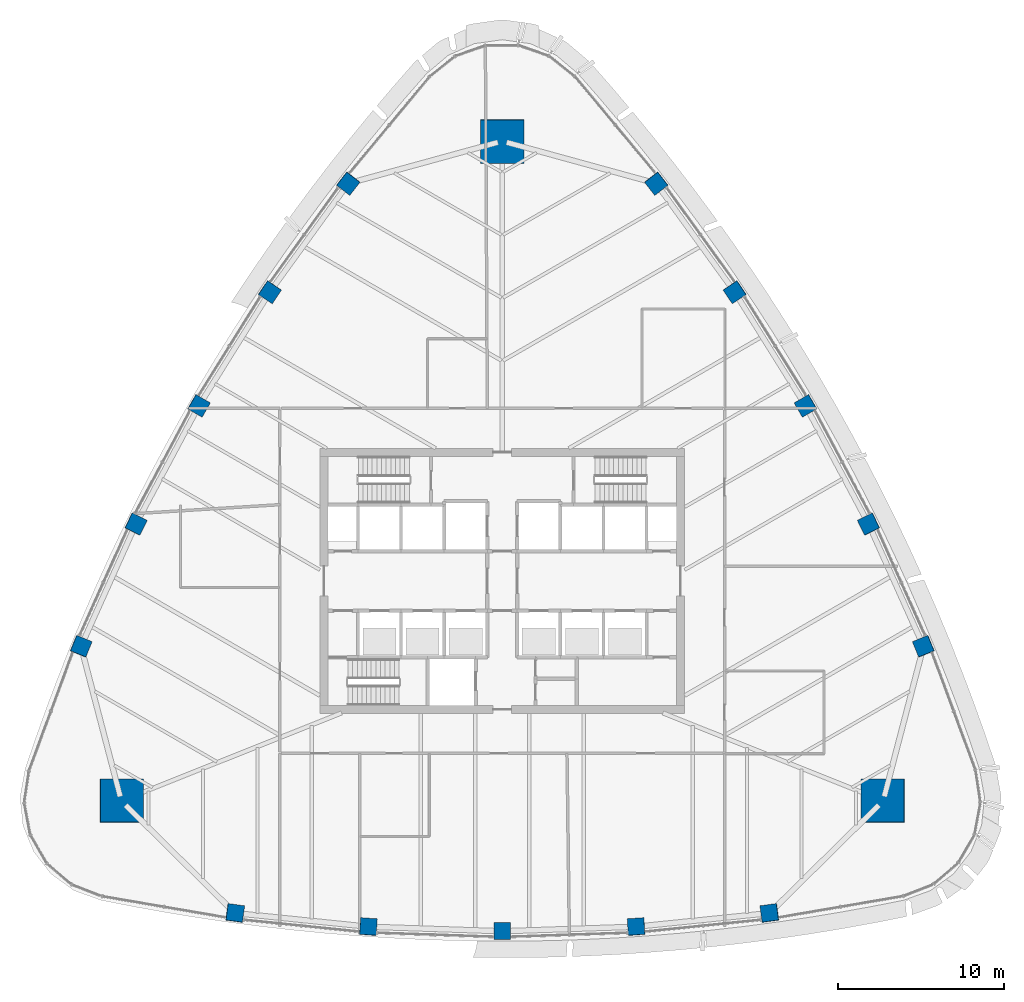
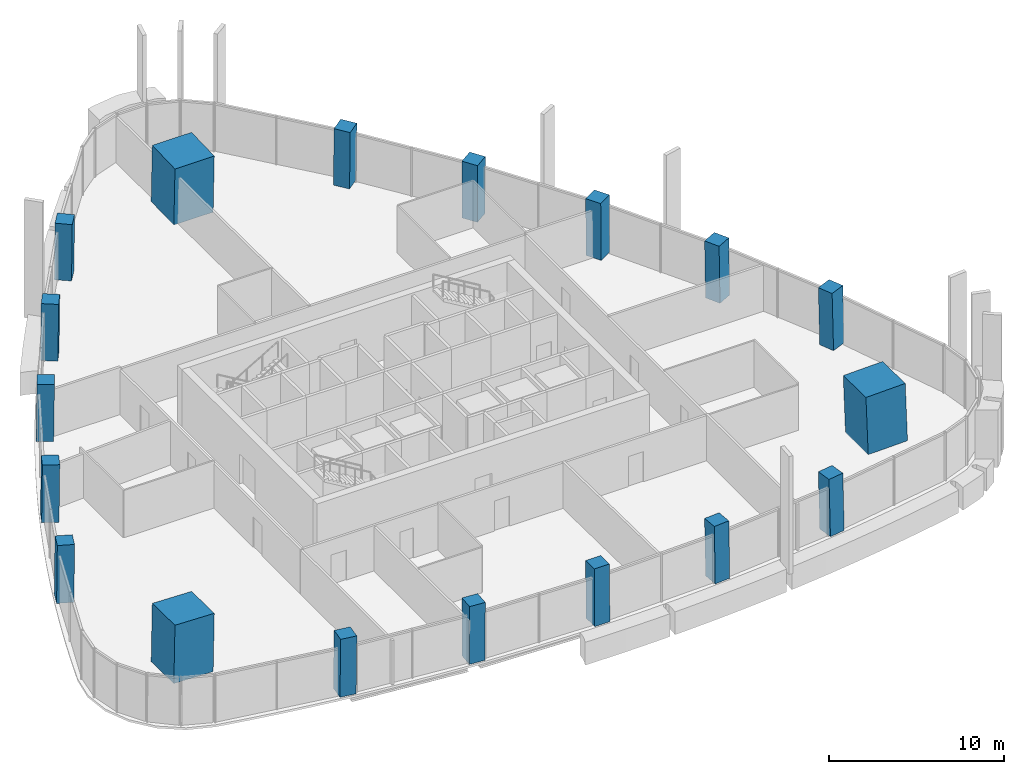
# One storey, part 1 of 17: 18 columns.
"""IFC4 building model written with IfcOpenShell, lengths in metres."""

import ifcopenshell
import ifcopenshell.guid

model = None  # the IFC model being written
_history = None  # IfcOwnerHistory: only IFC2X3 demands one
_inside = {}  # id of a spatial element -> (the spatial element, [elements in it])
_under = {}  # id of a project, library or spatial element -> (it, [spatial elements below it])
_declared = {}  # id of a project -> (the project, [libraries it declares])
_typed = {}  # id of a type object -> (the type object, [elements of that type])
_made_of = {}  # id of a material, layer set ... -> (it, [elements and type objects made of it])


def new_model(schema):
    """Start an empty IFC model of exactly this schema.

    Asked for "IFC4X3", IfcOpenShell would pick the latest addendum, in which some entities
    have other attributes; the version numbers below select the first issue.
    IFC2X3 requires an IfcOwnerHistory on every rooted entity: one is made here for all.
    """
    global model, _history
    if schema == "IFC4X3":
        model = ifcopenshell.file(schema_version=(4, 3, 0, 0))
    else:
        model = ifcopenshell.file(schema=schema)
    _inside.clear()
    _under.clear()
    _declared.clear()
    _typed.clear()
    _made_of.clear()
    _history = None
    if model.schema == "IFC2X3":
        org = make("IfcOrganization", Name="unknown")
        user = make(
            "IfcPersonAndOrganization",
            ThePerson=make("IfcPerson", FamilyName="unknown"),
            TheOrganization=org,
        )
        app = make(
            "IfcApplication",
            ApplicationDeveloper=org,
            Version="unknown",
            ApplicationFullName="unknown",
            ApplicationIdentifier="unknown",
        )
        _history = make(
            "IfcOwnerHistory",
            OwningUser=user,
            OwningApplication=app,
            ChangeAction="ADDED",
            CreationDate=0,
        )
    return model


def make(cls, **values):
    """One entity of the class cls with the attributes given. An attribute that is None is left unset."""
    return model.create_entity(
        cls, **{name: value for name, value in values.items() if value is not None}
    )


def rooted(cls, **values):
    """An entity with a GlobalId (a new one), such as an element, a storey or a relation."""
    return make(cls, GlobalId=ifcopenshell.guid.new(), OwnerHistory=_history, **values)


def si_unit(unit_type, name, prefix=None):
    """IfcSIUnit, for example si_unit("LENGTHUNIT", "METRE", prefix="MILLI")."""
    return make("IfcSIUnit", UnitType=unit_type, Prefix=prefix, Name=name)


def assignment(units):
    """IfcUnitAssignment: the units of a project."""
    return None if units is None else make("IfcUnitAssignment", Units=units)


def point(xyz):
    """IfcCartesianPoint."""
    return None if xyz is None else make("IfcCartesianPoint", Coordinates=xyz)


def direction(xyz):
    """IfcDirection."""
    return None if xyz is None else make("IfcDirection", DirectionRatios=xyz)


def frame(location, z_axis=None, x_axis=None):
    """IfcAxis2Placement3D, a coordinate frame: its origin and axes. An axis left out is left unset."""
    return make(
        "IfcAxis2Placement3D",
        Location=point(location),
        Axis=direction(z_axis),
        RefDirection=direction(x_axis),
    )


def frame_2d(location, x_axis=None):
    """IfcAxis2Placement2D, a coordinate frame in the plane: its origin and x axis."""
    return make(
        "IfcAxis2Placement2D", Location=point(location), RefDirection=direction(x_axis)
    )


def origin():
    """The frame at (0, 0, 0) with its axes left unset."""
    return frame((0.0, 0.0, 0.0))


def origin_2d():
    """The frame at (0, 0) in the plane with its x axis left unset."""
    return frame_2d((0.0, 0.0))


def place(relative_to, where):
    """IfcLocalPlacement: puts the frame where relative to a parent placement (None: the world)."""
    return make(
        "IfcLocalPlacement", PlacementRelTo=relative_to, RelativePlacement=where
    )


def context(
    kind, dimensions, precision=None, world=None, true_north=None, identifier=None
):
    """IfcGeometricRepresentationContext, for example the 3D "Model" context."""
    return make(
        "IfcGeometricRepresentationContext",
        ContextIdentifier=identifier,
        ContextType=kind,
        CoordinateSpaceDimension=dimensions,
        Precision=precision,
        WorldCoordinateSystem=world,
        TrueNorth=true_north,
    )


def subcontext(parent, identifier, kind, view, scale=None):
    """IfcGeometricRepresentationSubContext, for example "Body" below "Model"."""
    return make(
        "IfcGeometricRepresentationSubContext",
        ContextIdentifier=identifier,
        ContextType=kind,
        ParentContext=parent,
        TargetScale=scale,
        TargetView=view,
    )


def project(units=None, contexts=None):
    """IfcProject with its units and contexts."""
    return rooted(
        "IfcProject",
        Name="project",
        RepresentationContexts=contexts,
        UnitsInContext=assignment(units),
    )


def spatial(cls, under=None, at=None, **own):
    """A site, building, storey or space (cls), placed at a placement, below another one or the project."""
    s = rooted(cls, ObjectPlacement=at, **own)
    if under is not None:
        _under.setdefault(under.id(), (under, []))[1].append(s)
    return s


def profile(cls, at=None, kind="AREA", **sizes):
    """A parametric profile (cls). Its sizes go by their IFC names, for example OverallWidth=200.0."""
    return make(cls, ProfileType=kind, Position=at, **sizes)


def rectangle(**sizes):
    """IfcRectangleProfileDef."""
    return profile("IfcRectangleProfileDef", **sizes)


def extrude(swept, where, along, depth):
    """IfcExtrudedAreaSolid: the profile swept, set in the frame where, extruded along a direction by depth."""
    return make(
        "IfcExtrudedAreaSolid",
        SweptArea=swept,
        Position=where,
        ExtrudedDirection=direction(along),
        Depth=depth,
    )


def shape(context_of_items, identifier, shape_type, items):
    """IfcShapeRepresentation: the items that make up one representation, for example the "Body"."""
    return make(
        "IfcShapeRepresentation",
        ContextOfItems=context_of_items,
        RepresentationIdentifier=identifier,
        RepresentationType=shape_type,
        Items=items,
    )


def material(Name=None, Category=None):
    """IfcMaterial."""
    return make("IfcMaterial", Name=Name, Category=Category)


def material_profile(
    of_material, cross_section, Name=None, Category=None, Priority=None
):
    """IfcMaterialProfile: a cross section and its material."""
    return make(
        "IfcMaterialProfile",
        Name=Name,
        Material=of_material,
        Profile=cross_section,
        Priority=Priority,
        Category=Category,
    )


def profile_set(profiles, Name=None, composite=None):
    """IfcMaterialProfileSet."""
    return make(
        "IfcMaterialProfileSet",
        Name=Name,
        MaterialProfiles=profiles,
        CompositeProfile=composite,
    )


def made_of(thing, what):
    """Note that an element or type object is made of a material, layer set ...; save() writes the relation."""
    if what is not None:
        _made_of.setdefault(what.id(), (what, []))[1].append(thing)
    return thing


def type_object(cls, material=None, **own):
    """A type object (cls), such as IfcWallType, which elements share."""
    return made_of(rooted(cls, **own), material)


def element(
    cls,
    number,
    at=None,
    inside=None,
    cuts=None,
    type_object=None,
    material=None,
    context=None,
    identifier="Body",
    shape_type=None,
    held_by="IfcProductDefinitionShape",
    body=None,
    shapes=None,
    **own,
):
    """One element of the class cls, such as IfcWall. Its Tag is "e" and its number.

    at: its placement. inside: the storey or other place that contains it. cuts: it is an
    opening in that element (IfcRelVoidsElement). A single representation is given by context,
    identifier, shape_type and body (its items); several are given by shapes. held_by: the class
    of the entity that holds the representations. save() writes the other relations.
    """
    e = rooted(cls, Tag="e%d" % number, ObjectPlacement=at, **own)
    if body is not None:
        shapes = [shape(context, identifier, shape_type, body)]
    if shapes is not None:
        e.Representation = make(held_by, Representations=shapes)
    if inside is not None:
        _inside.setdefault(inside.id(), (inside, []))[1].append(e)
    if cuts is not None:
        rooted(
            "IfcRelVoidsElement", RelatingBuildingElement=cuts, RelatedOpeningElement=e
        )
    if type_object is not None:
        _typed.setdefault(type_object.id(), (type_object, []))[1].append(e)
    return made_of(e, material)


def aggregate(whole, parts):
    """IfcRelAggregates: a whole, such as a stair, and the parts it consists of."""
    return rooted("IfcRelAggregates", RelatingObject=whole, RelatedObjects=parts)


def save(model, path):
    """Write the relations noted so far, then the file.

    IfcRelAggregates (storeys below a building ...), IfcRelContainedInSpatialStructure (elements
    in a storey), IfcRelDefinesByType, IfcRelAssociatesMaterial and IfcRelDeclares: one each for
    every whole, place, type object, material and project.
    """
    for whole, parts in _under.values():
        aggregate(whole, parts)
    for where, things in _inside.values():
        rooted(
            "IfcRelContainedInSpatialStructure",
            RelatedElements=things,
            RelatingStructure=where,
        )
    for kind, things in _typed.values():
        rooted("IfcRelDefinesByType", RelatedObjects=things, RelatingType=kind)
    for what, things in _made_of.values():
        rooted("IfcRelAssociatesMaterial", RelatedObjects=things, RelatingMaterial=what)
    for by, libraries in _declared.values():
        rooted("IfcRelDeclares", RelatingContext=by, RelatedDefinitions=libraries)
    model.write(path)


model = new_model("IFC4")

# Units and contexts
model_context = context("Model", 3, precision=1e-05, world=origin(), true_north=direction((0.0, 1.0)))
body_context = subcontext(model_context, "Body", "Model", "MODEL_VIEW")
ifc_project = project(units=[si_unit("LENGTHUNIT", "METRE"), si_unit("AREAUNIT", "SQUARE_METRE"), si_unit("VOLUMEUNIT", "CUBIC_METRE"), si_unit("PLANEANGLEUNIT", "RADIAN"), si_unit("MASSUNIT", "GRAM", prefix="KILO")], contexts=[model_context])

# Site, building, storey
site_placement = place(None, origin())
site = spatial("IfcSite", under=ifc_project, at=site_placement, CompositionType="ELEMENT")
building_placement = place(site_placement, origin())
building = spatial("IfcBuilding", under=site, at=building_placement, Name="Sierra Prisma Convention Tower", CompositionType="ELEMENT")
storey_placement = place(building_placement, frame((0.0, 0.0, 201.800048828125)))
storey = spatial("IfcBuildingStorey", under=building, at=storey_placement, Name="L45", CompositionType="ELEMENT", Elevation=201.800048828125)

# Columns
ifc_material_1 = material(Name="Concrete C60/75", Category="concrete")
ifc_material_profile_1 = material_profile(ifc_material_1, rectangle(XDim=2.60009765625, YDim=2.60009765625, at=origin_2d()), Name="Mega column RC 2600 C60/75")
ifc_profile_set_1 = profile_set([ifc_material_profile_1], Name="Concrete C60/75")
column_type_1 = type_object("IfcColumnType", Name="Mega column RC 2600 C60/75", PredefinedType="COLUMN", material=ifc_profile_set_1)
for number, where, z_axis, x_axis, name in (
    (1, (22.962890625, -13.2578125, 0.0), (-0.027878578444, 0.01616591529, 0.99948058913), (0.999611316895, 0.000450857978, 0.027874932523), "Mega column SE L45"),
    (2, (0.0, 26.515380859375, 0.0), (0.0, -0.032270781071, 0.999479162709), (1.0, 0.0, 0.0), "Mega column N L45"),
    (3, (-22.962890625, -13.2578125, 0.0), (0.027878578444, 0.01616591529, 0.99948058913), (0.999611316895, -0.000450857978, -0.027874932523), "Mega column SW L45"),
):
    element("IfcColumn", number, at=place(storey_placement, frame(where, z_axis=z_axis, x_axis=x_axis)), inside=storey, type_object=column_type_1, Name=name, PredefinedType="COLUMN", context=body_context, shape_type="SweptSolid", body=[
        extrude(rectangle(XDim=2.60009765625, YDim=2.60009765625, at=origin_2d()), origin(), (0.0, 0.0, 1.0), 4.002197265625),
    ])
ifc_material_2 = material(Name="Concrete C60/75", Category="concrete")
ifc_material_profile_2 = material_profile(ifc_material_2, rectangle(XDim=1.0, YDim=1.0, at=origin_2d()), Name="Perimeter column RC 1000 C60/75")
ifc_profile_set_2 = profile_set([ifc_material_profile_2], Name="Concrete C60/75")
column_type_2 = type_object("IfcColumnType", Name="Perimeter column RC 1000 C60/75", PredefinedType="COLUMN", material=ifc_profile_set_2)
column_1_placement = place(storey_placement, frame((-16.113525390625, -20.022216796875, 0.0), z_axis=(0.017574453011, 0.010434831475, 0.999791104628), x_axis=(-0.990654176494, 0.135455896045, 0.016000088172)))
element("IfcColumn", 4, at=column_1_placement, inside=storey, type_object=column_type_2, Name="Perimeter column S-1 L45", PredefinedType="COLUMN", context=body_context, shape_type="SweptSolid", body=[
    extrude(rectangle(XDim=1.0, YDim=1.0, at=origin_2d()), origin(), (0.0, 0.0, 1.0), 4.000732421875),
])
column_2_placement = place(storey_placement, frame((-8.075439453125, -20.843017578125, 0.0), z_axis=(0.008788174922, 0.01116830563, 0.999899013366), x_axis=(-0.997660565826, 0.067891326384, 0.008010193405)))
element("IfcColumn", 5, at=column_2_placement, inside=storey, type_object=column_type_2, Name="Perimeter column S-2 L45", PredefinedType="COLUMN", context=body_context, shape_type="SweptSolid", body=[
    extrude(rectangle(XDim=1.0, YDim=1.0, at=origin_2d()), origin(), (0.0, 0.0, 1.0), 4.00048828125),
])
column_3_placement = place(storey_placement, frame((0.0, -21.1171875, 0.0), z_axis=(0.0, 0.011473854038, 0.99993417317), x_axis=(1.0, 0.0, 0.0)))
element("IfcColumn", 6, at=column_3_placement, inside=storey, type_object=column_type_2, Name="Perimeter column S-3 L45", PredefinedType="COLUMN", context=body_context, shape_type="SweptSolid", body=[
    extrude(rectangle(XDim=1.0, YDim=1.0, at=origin_2d()), origin(), (0.0, 0.0, 1.0), 4.000244140625),
])
column_4_placement = place(storey_placement, frame((8.075439453125, -20.843017578125, 0.0), z_axis=(-0.008788174922, 0.01116830563, 0.999899013366), x_axis=(0.997660565826, 0.067891326384, 0.008010193405)))
element("IfcColumn", 7, at=column_4_placement, inside=storey, type_object=column_type_2, Name="Perimeter column S-4 L45", PredefinedType="COLUMN", context=body_context, shape_type="SweptSolid", body=[
    extrude(rectangle(XDim=1.0, YDim=1.0, at=origin_2d()), origin(), (0.0, 0.0, 1.0), 4.00048828125),
])
for number, where, z_axis, x_axis, name in (
    (8, (16.113525390625, -20.022216796875, 0.0), (-0.017574453011, 0.010434831475, 0.999791104628), (0.990654176494, 0.135455896045, 0.016000088172), "Perimeter column S-5 L45"),
    (9, (25.396484375, -3.943603515625, 0.0), (-0.017818554314, 0.009946658744, 0.999791759869), (-0.378186302211, 0.925592114744, -0.015948603207), "Perimeter column NE-1 L45"),
):
    element("IfcColumn", number, at=place(storey_placement, frame(where, z_axis=z_axis, x_axis=x_axis)), inside=storey, type_object=column_type_2, Name=name, PredefinedType="COLUMN", context=body_context, shape_type="SweptSolid", body=[
        extrude(rectangle(XDim=1.0, YDim=1.0, at=origin_2d()), origin(), (0.0, 0.0, 1.0), 4.000732421875),
    ])
column_5_placement = place(storey_placement, frame((22.08837890625, 3.427978515625, 0.0), z_axis=(-0.014097689605, 0.002074984617, 0.999898469639), x_axis=(-0.440091339145, 0.89791676479, -0.008068253744)))
element("IfcColumn", 10, at=column_5_placement, inside=storey, type_object=column_type_2, Name="Perimeter column NE-2 L45", PredefinedType="COLUMN", context=body_context, shape_type="SweptSolid", body=[
    extrude(rectangle(XDim=1.0, YDim=1.0, at=origin_2d()), origin(), (0.0, 0.0, 1.0), 4.00048828125),
])
column_6_placement = place(storey_placement, frame((18.2880859375, 10.55859375, 0.0), z_axis=(-0.009948074445, -0.005736926367, 0.999934059571), x_axis=(-0.499975258342, 0.8660396879, -5.385525e-06)))
element("IfcColumn", 11, at=column_6_placement, inside=storey, type_object=column_type_2, Name="Perimeter column NE-3 L45", PredefinedType="COLUMN", context=body_context, shape_type="SweptSolid", body=[
    extrude(rectangle(XDim=1.0, YDim=1.0, at=origin_2d()), origin(), (0.0, 0.0, 1.0), 4.000244140625),
])
column_7_placement = place(storey_placement, frame((14.012939453125, 17.4150390625, 0.0), z_axis=(-0.005309522349, -0.013182262383, 0.999899013366), x_axis=(-0.557556155911, 0.830100839547, 0.007983056383)))
element("IfcColumn", 12, at=column_7_placement, inside=storey, type_object=column_type_2, Name="Perimeter column NE-4 L45", PredefinedType="COLUMN", context=body_context, shape_type="SweptSolid", body=[
    extrude(rectangle(XDim=1.0, YDim=1.0, at=origin_2d()), origin(), (0.0, 0.0, 1.0), 4.00048828125),
])
for number, where, z_axis, x_axis, name in (
    (13, (9.282958984375, 23.9658203125, 0.0), (-0.0002440896, -0.020442503975, 0.999791000385), (-0.612560827359, 0.79026131933, 0.016008746256), "Perimeter column NE-5 L45"),
    (14, (-9.282958984375, 23.9658203125, 0.0), (0.0002440896, -0.020442503975, 0.999791000385), (0.612560827359, 0.79026131933, 0.016008746256), "Perimeter column NW-1 L45"),
):
    element("IfcColumn", number, at=place(storey_placement, frame(where, z_axis=z_axis, x_axis=x_axis)), inside=storey, type_object=column_type_2, Name=name, PredefinedType="COLUMN", context=body_context, shape_type="SweptSolid", body=[
        extrude(rectangle(XDim=1.0, YDim=1.0, at=origin_2d()), origin(), (0.0, 0.0, 1.0), 4.000732421875),
    ])
column_8_placement = place(storey_placement, frame((-14.012939453125, 17.4150390625, 0.0), z_axis=(0.005309522349, -0.013182262383, 0.999899013366), x_axis=(0.557556155911, 0.830100839547, 0.007983056383)))
element("IfcColumn", 15, at=column_8_placement, inside=storey, type_object=column_type_2, Name="Perimeter column NW-2 L45", PredefinedType="COLUMN", context=body_context, shape_type="SweptSolid", body=[
    extrude(rectangle(XDim=1.0, YDim=1.0, at=origin_2d()), origin(), (0.0, 0.0, 1.0), 4.00048828125),
])
column_9_placement = place(storey_placement, frame((-18.2880859375, 10.55859375, 0.0), z_axis=(0.009948074445, -0.005736926367, 0.999934059571), x_axis=(0.499975258342, 0.8660396879, -5.385525e-06)))
element("IfcColumn", 16, at=column_9_placement, inside=storey, type_object=column_type_2, Name="Perimeter column NW-3 L45", PredefinedType="COLUMN", context=body_context, shape_type="SweptSolid", body=[
    extrude(rectangle(XDim=1.0, YDim=1.0, at=origin_2d()), origin(), (0.0, 0.0, 1.0), 4.000244140625),
])
column_10_placement = place(storey_placement, frame((-22.08837890625, 3.427978515625, 0.0), z_axis=(0.014097689605, 0.002074984617, 0.999898469639), x_axis=(0.440091339145, 0.89791676479, -0.008068253744)))
element("IfcColumn", 17, at=column_10_placement, inside=storey, type_object=column_type_2, Name="Perimeter column NW-4 L45", PredefinedType="COLUMN", context=body_context, shape_type="SweptSolid", body=[
    extrude(rectangle(XDim=1.0, YDim=1.0, at=origin_2d()), origin(), (0.0, 0.0, 1.0), 4.00048828125),
])
column_11_placement = place(storey_placement, frame((-25.396484375, -3.943603515625, 0.0), z_axis=(0.017818554314, 0.009946658744, 0.999791759869), x_axis=(0.378186302211, 0.925592114744, -0.015948603207)))
element("IfcColumn", 18, at=column_11_placement, inside=storey, type_object=column_type_2, Name="Perimeter column NW-5 L45", PredefinedType="COLUMN", context=body_context, shape_type="SweptSolid", body=[
    extrude(rectangle(XDim=1.0, YDim=1.0, at=origin_2d()), origin(), (0.0, 0.0, 1.0), 4.000732421875),
])

save(model, "model.ifc")
